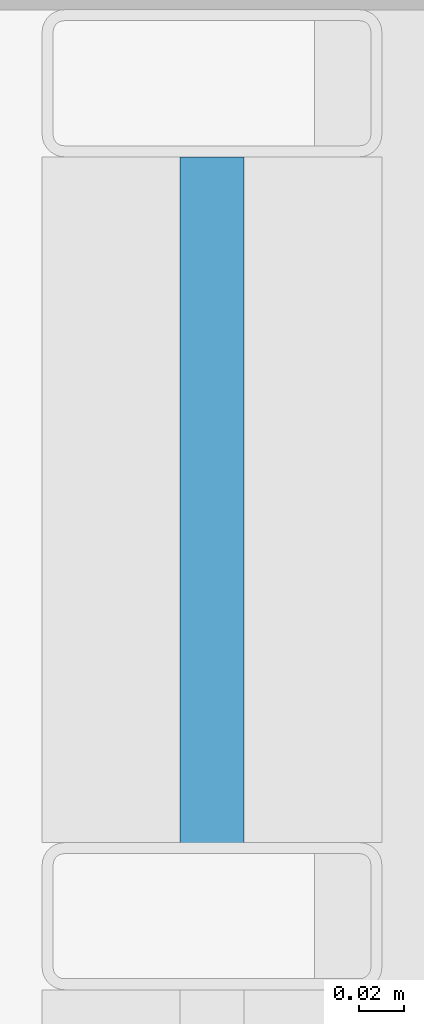
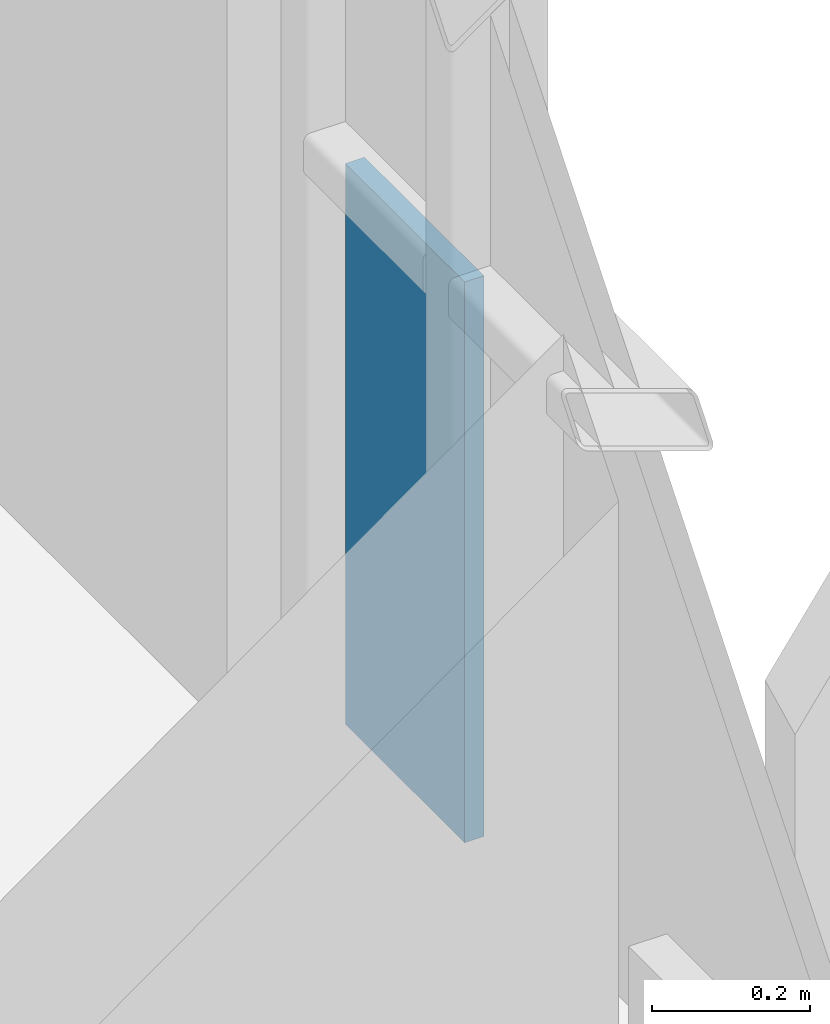
# One storey, part 28 of 40: 1 plate, 1 element without a shape of its own.
"""IFC4 building model written with IfcOpenShell, lengths in metres."""

from ifc_helpers import new_model, si_unit, direction, frame, origin, origin_2d, place, context, subcontext, project, spatial, rectangle, extrude, material, layer, layer_set, type_object, element, aggregate, save


model = new_model("IFC4")

# Units and contexts
model_context = context("Model", 3, precision=1e-05, world=origin(), true_north=direction((0.0, 1.0)))
body_context = subcontext(model_context, "Body", "Model", "MODEL_VIEW")
ifc_project = project(units=[si_unit("LENGTHUNIT", "METRE"), si_unit("AREAUNIT", "SQUARE_METRE"), si_unit("VOLUMEUNIT", "CUBIC_METRE"), si_unit("PLANEANGLEUNIT", "RADIAN"), si_unit("MASSUNIT", "GRAM", prefix="KILO")], contexts=[model_context])

# Site, building, storey
site_placement = place(None, origin())
site = spatial("IfcSite", under=ifc_project, at=site_placement, CompositionType="ELEMENT")
building_placement = place(site_placement, origin())
building = spatial("IfcBuilding", under=site, at=building_placement, Name="Brevholm Reach", CompositionType="ELEMENT")
storey_placement = place(building_placement, frame((0.0, 0.0, 160.39990234375)))
storey = spatial("IfcBuildingStorey", under=building, at=storey_placement, Name="L48", CompositionType="ELEMENT", Elevation=160.39990234375)

# Curtain wall, plate
ifc_material_1 = material(Name="Dark Anodised Aluminium 6063-T6 and Solar-Control Glass", Category="aluminium")
ifc_layer_1 = layer(ifc_material_1, 0.14990234375)
ifc_layer_set_1 = layer_set([ifc_layer_1], Name="Dark Anodised Aluminium 6063-T6 and Solar-Control Glass")
curtain_wall_type = type_object("IfcCurtainWallType", Name="CW-01", PredefinedType="NOTDEFINED", material=ifc_layer_set_1)
curtain_wall_placement = place(storey_placement, origin())
curtain_wall = element("IfcCurtainWall", 1, at=curtain_wall_placement, inside=storey, type_object=curtain_wall_type, Name="L48 Curtain Wall CW-01", PredefinedType="NOTDEFINED")
ifc_material_2 = material(Name="Dark Solar-Control Double-Glazed IGU Glass", Category="glass")
ifc_layer_2 = layer(ifc_material_2, 0.028076171875)
ifc_layer_set_2 = layer_set([ifc_layer_2], Name="Dark Solar-Control Double-Glazed IGU Glass")
plate_type = type_object("IfcPlateType", Name="CWP-GLZ-28", PredefinedType="CURTAIN_PANEL", material=ifc_layer_set_2)
plate_placement = place(storey_placement, frame((59.85009765625, 22.733642578125, 0.0), z_axis=(0.0, 0.0, 1.0), x_axis=(0.0, 1.0, 0.0)))
plate = element("IfcPlate", 2, at=plate_placement, type_object=plate_type, Name="CP-01 Glazing Panel 5.1", PredefinedType="CURTAIN_PANEL", context=body_context, shape_type="SweptSolid", body=[
    extrude(rectangle(XDim=0.302490234375, YDim=0.028076171875, at=origin_2d()), origin(), (0.0, 0.0, 1.0), 0.867431640625),
])
aggregate(curtain_wall, [plate])

save(model, "model.ifc")
